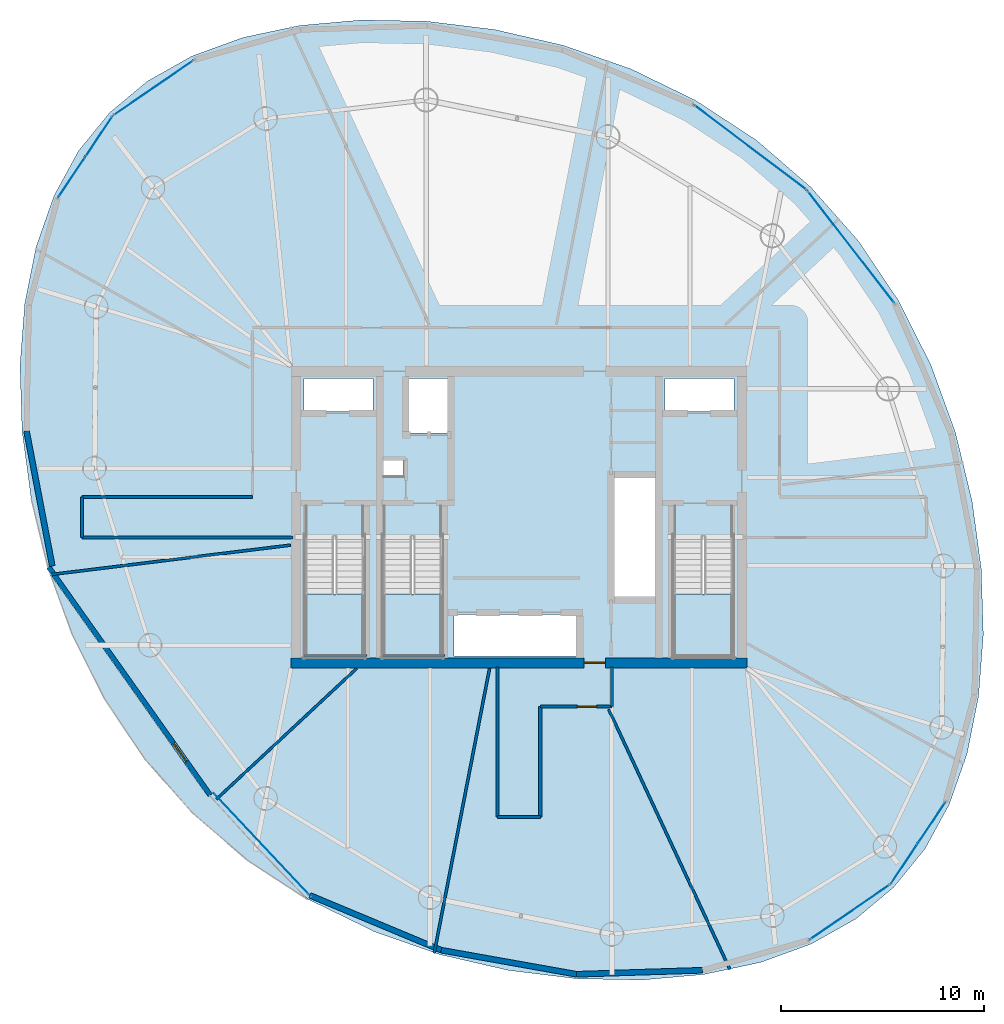
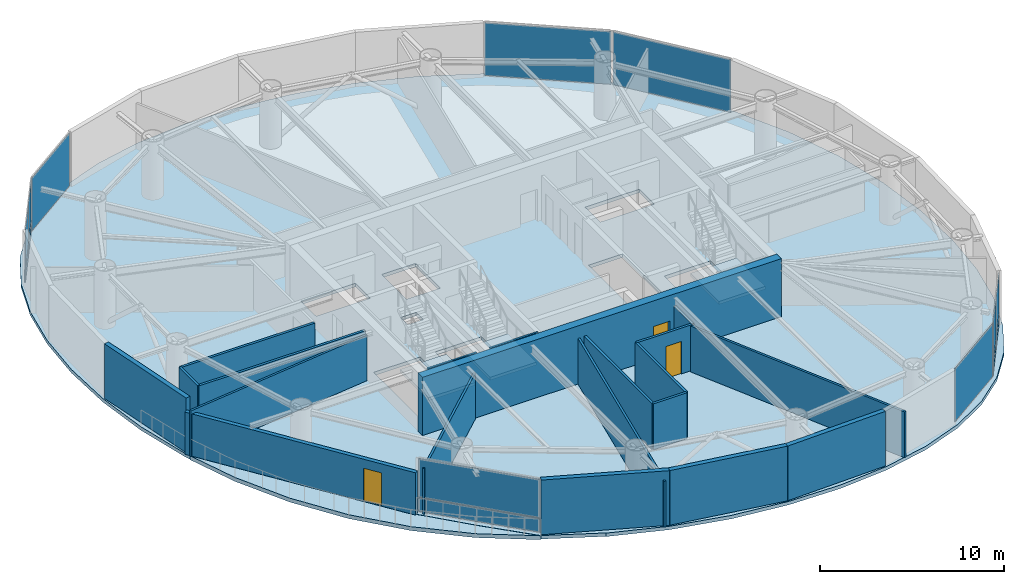
# One storey, part 11 of 16: 20 walls, 14 plates, 5 slabs, 3 doors, 3 openings, 10 elements without a shape of their own.
"""IFC4 building model written with IfcOpenShell, lengths in metres."""

from ifc_helpers import new_model, si_unit, direction, frame, frame_2d, origin, origin_2d, place, context, subcontext, project, spatial, polyline, rectangle, outline, extrude, material, layer, layer_set, type_object, element, fill, aggregate, save


model = new_model("IFC4")

# Units and contexts
model_context = context("Model", 3, precision=1e-05, world=origin(), true_north=direction((0.0, 1.0)))
body_context = subcontext(model_context, "Body", "Model", "MODEL_VIEW")
ifc_project = project(units=[si_unit("LENGTHUNIT", "METRE"), si_unit("AREAUNIT", "SQUARE_METRE"), si_unit("VOLUMEUNIT", "CUBIC_METRE"), si_unit("PLANEANGLEUNIT", "RADIAN"), si_unit("MASSUNIT", "GRAM", prefix="KILO")], contexts=[model_context])

# Site, building, storey
site_placement = place(None, origin())
site = spatial("IfcSite", under=ifc_project, at=site_placement, CompositionType="ELEMENT")
building_placement = place(site_placement, origin())
building = spatial("IfcBuilding", under=site, at=building_placement, Name="Bramvorn Convention Spire", CompositionType="ELEMENT")
storey_placement = place(building_placement, frame((0.0, 0.0, 209.699951171875)))
storey = spatial("IfcBuildingStorey", under=building, at=storey_placement, Name="L53", CompositionType="ELEMENT", Elevation=209.699951171875)

# Curtain wall, plates
ifc_material_1 = material(Name="Anodised Bronze Unitised Curtain Wall", Category="aluminium")
ifc_layer_1 = layer(ifc_material_1, 0.179931640625)
ifc_layer_set_1 = layer_set([ifc_layer_1], Name="Anodised Bronze Unitised Curtain Wall - CW-OFF-FRIT")
curtain_wall_type_1 = type_object("IfcCurtainWallType", Name="CW-OFF-FRIT", PredefinedType="USERDEFINED", material=ifc_layer_set_1)
curtain_wall_1_placement = place(storey_placement, origin())
curtain_wall_1 = element("IfcCurtainWall", 1, at=curtain_wall_1_placement, inside=storey, type_object=curtain_wall_type_1, Name="L53 fritted glass curtain wall 01", ObjectType="UNITISED CURTAIN WALL", PredefinedType="USERDEFINED")
ifc_material_2 = material(Name="Laminated Low-E Glass (Triple IGU Solar Bronze Frit 28%)", Category="glass")
ifc_layer_2 = layer(ifc_material_2, 0.0400390625)
ifc_layer_set_2 = layer_set([ifc_layer_2], Name="Laminated Low-E Glass (Triple IGU Solar Bronze Frit 28%) - PNL-IGU-3")
plate_type_1 = type_object("IfcPlateType", Name="PNL-IGU-3", PredefinedType="CURTAIN_PANEL", material=ifc_layer_set_2)
plate_1_placement = place(storey_placement, frame((58.365478515625, 10.90966796875, 0.06005859375), z_axis=(0.0, 0.0, 1.0), x_axis=(-0.5560576769, -0.831143705963, 0.0)))
plate_1 = element("IfcPlate", 2, at=plate_1_placement, type_object=plate_type_1, Name="CW3 panel 1.1", PredefinedType="CURTAIN_PANEL", context=body_context, shape_type="SweptSolid", body=[
    extrude(rectangle(XDim=2.34814453125, YDim=0.028076171875, at=origin_2d()), origin(), (0.0, 0.0, 1.0), 0.81005859375),
])
plate_2_placement = place(storey_placement, frame((58.365478515625, 10.90966796875, 0.93017578125), z_axis=(0.0, 0.0, 1.0), x_axis=(-0.5560576769, -0.831143705963, 0.0)))
plate_2 = element("IfcPlate", 3, at=plate_2_placement, type_object=plate_type_1, Name="CW3 panel 1.2", PredefinedType="CURTAIN_PANEL", context=body_context, shape_type="SweptSolid", body=[
    extrude(rectangle(XDim=2.34814453125, YDim=0.028076171875, at=origin_2d()), origin(), (0.0, 0.0, 1.0), 2.6298828125),
])
plate_3_placement = place(storey_placement, frame((57.0263671875, 8.908203125, 0.06005859375), z_axis=(0.0, 0.0, 1.0), x_axis=(-0.5560576769, -0.831143705963, 0.0)))
plate_3 = element("IfcPlate", 4, at=plate_3_placement, type_object=plate_type_1, Name="CW3 panel 2.1", PredefinedType="CURTAIN_PANEL", context=body_context, shape_type="SweptSolid", body=[
    extrude(rectangle(XDim=2.34814453125, YDim=0.028076171875, at=origin_2d()), origin(), (0.0, 0.0, 1.0), 0.81005859375),
])
plate_4_placement = place(storey_placement, frame((57.0263671875, 8.908203125, 0.93017578125), z_axis=(0.0, 0.0, 1.0), x_axis=(-0.5560576769, -0.831143705963, 0.0)))
plate_4 = element("IfcPlate", 5, at=plate_4_placement, type_object=plate_type_1, Name="CW3 panel 2.2", PredefinedType="CURTAIN_PANEL", context=body_context, shape_type="SweptSolid", body=[
    extrude(rectangle(XDim=2.34814453125, YDim=0.028076171875, at=origin_2d()), origin(), (0.0, 0.0, 1.0), 2.6298828125),
])
aggregate(curtain_wall_1, [plate_1, plate_2, plate_3, plate_4])

# Curtain wall, plate
curtain_wall_2_placement = place(storey_placement, origin())
curtain_wall_2 = element("IfcCurtainWall", 6, at=curtain_wall_2_placement, inside=storey, type_object=curtain_wall_type_1, Name="L53 fritted glass curtain wall 06", ObjectType="UNITISED CURTAIN WALL", PredefinedType="USERDEFINED")
plate_5_placement = place(storey_placement, frame((54.3896484375, 39.33056640625, 0.06005859375), z_axis=(0.0, 0.0, 1.0), x_axis=(0.611581601687, -0.791181360042, 0.0)))
plate_5 = element("IfcPlate", 7, at=plate_5_placement, type_object=plate_type_1, Name="CW3 panel 1.1", PredefinedType="CURTAIN_PANEL", context=body_context, shape_type="SweptSolid", body=[
    extrude(rectangle(XDim=6.92578125, YDim=0.028076171875, at=origin_2d()), origin(), (0.0, 0.0, 1.0), 3.5),
])
aggregate(curtain_wall_2, [plate_5])

curtain_wall_3_placement = place(storey_placement, origin())
curtain_wall_3 = element("IfcCurtainWall", 8, at=curtain_wall_3_placement, inside=storey, type_object=curtain_wall_type_1, Name="L53 fritted glass curtain wall 07", ObjectType="UNITISED CURTAIN WALL", PredefinedType="USERDEFINED")
plate_6_placement = place(storey_placement, frame((49.421875, 44.238037109375, 0.06005859375), z_axis=(0.0, 0.0, 1.0), x_axis=(0.798592657801, -0.601871885792, 0.0)))
plate_6 = element("IfcPlate", 9, at=plate_6_placement, type_object=plate_type_1, Name="CW3 panel 1.1", PredefinedType="CURTAIN_PANEL", context=body_context, shape_type="SweptSolid", body=[
    extrude(rectangle(XDim=6.925537109375, YDim=0.028076171875, at=origin_2d()), origin(), (0.0, 0.0, 1.0), 3.5),
])
aggregate(curtain_wall_3, [plate_6])

curtain_wall_4_placement = place(storey_placement, origin())
curtain_wall_4 = element("IfcCurtainWall", 10, at=curtain_wall_4_placement, inside=storey, type_object=curtain_wall_type_1, Name="L53 fritted glass curtain wall 12", ObjectType="UNITISED CURTAIN WALL", PredefinedType="USERDEFINED")
plate_7_placement = place(storey_placement, frame((19.962158203125, 47.1845703125, 0.06005859375), z_axis=(0.0, 0.0, 1.0), x_axis=(0.824300929421, 0.566151903428, 0.0)))
plate_7 = element("IfcPlate", 11, at=plate_7_placement, type_object=plate_type_1, Name="CW3 panel 1.1", PredefinedType="CURTAIN_PANEL", context=body_context, shape_type="SweptSolid", body=[
    extrude(rectangle(XDim=4.75634765625, YDim=0.028076171875, at=origin_2d()), origin(), (0.0, 0.0, 1.0), 3.5),
])
aggregate(curtain_wall_4, [plate_7])

# Curtain wall, plates
curtain_wall_5_placement = place(storey_placement, origin())
curtain_wall_5 = element("IfcCurtainWall", 12, at=curtain_wall_5_placement, inside=storey, type_object=curtain_wall_type_1, Name="L53 fritted glass curtain wall 13", ObjectType="UNITISED CURTAIN WALL", PredefinedType="USERDEFINED")
plate_8_placement = place(storey_placement, frame((15.927001953125, 42.777099609375, 0.06005859375), z_axis=(0.0, 0.0, 1.0), x_axis=(0.5560576769, 0.831143705963, 0.0)))
plate_8 = element("IfcPlate", 13, at=plate_8_placement, type_object=plate_type_1, Name="CW3 panel 1.1", PredefinedType="CURTAIN_PANEL", context=body_context, shape_type="SweptSolid", body=[
    extrude(rectangle(XDim=2.34814453125, YDim=0.028076171875, at=origin_2d()), origin(), (0.0, 0.0, 1.0), 0.81005859375),
])
plate_9_placement = place(storey_placement, frame((15.927001953125, 42.777099609375, 0.93017578125), z_axis=(0.0, 0.0, 1.0), x_axis=(0.5560576769, 0.831143705963, 0.0)))
plate_9 = element("IfcPlate", 14, at=plate_9_placement, type_object=plate_type_1, Name="CW3 panel 1.2", PredefinedType="CURTAIN_PANEL", context=body_context, shape_type="SweptSolid", body=[
    extrude(rectangle(XDim=2.34814453125, YDim=0.028076171875, at=origin_2d()), origin(), (0.0, 0.0, 1.0), 2.6298828125),
])
plate_10_placement = place(storey_placement, frame((17.26611328125, 44.778564453125, 0.06005859375), z_axis=(0.0, 0.0, 1.0), x_axis=(0.5560576769, 0.831143705963, 0.0)))
plate_10 = element("IfcPlate", 15, at=plate_10_placement, type_object=plate_type_1, Name="CW3 panel 2.1", PredefinedType="CURTAIN_PANEL", context=body_context, shape_type="SweptSolid", body=[
    extrude(rectangle(XDim=2.34814453125, YDim=0.028076171875, at=origin_2d()), origin(), (0.0, 0.0, 1.0), 0.81005859375),
])
plate_11_placement = place(storey_placement, frame((17.26611328125, 44.778564453125, 0.93017578125), z_axis=(0.0, 0.0, 1.0), x_axis=(0.5560576769, 0.831143705963, 0.0)))
plate_11 = element("IfcPlate", 16, at=plate_11_placement, type_object=plate_type_1, Name="CW3 panel 2.2", PredefinedType="CURTAIN_PANEL", context=body_context, shape_type="SweptSolid", body=[
    extrude(rectangle(XDim=2.34814453125, YDim=0.028076171875, at=origin_2d()), origin(), (0.0, 0.0, 1.0), 2.6298828125),
])
aggregate(curtain_wall_5, [plate_8, plate_9, plate_10, plate_11])

# Curtain wall, plate
curtain_wall_6_placement = place(storey_placement, origin())
curtain_wall_6 = element("IfcCurtainWall", 17, at=curtain_wall_6_placement, inside=storey, type_object=curtain_wall_type_1, Name="L53 fritted glass curtain wall 24", ObjectType="UNITISED CURTAIN WALL", PredefinedType="USERDEFINED")
plate_12_placement = place(storey_placement, frame((54.33056640625, 6.502197265625, 0.06005859375), z_axis=(0.0, 0.0, 1.0), x_axis=(-0.824291358962, -0.56616583749, 0.0)))
plate_12 = element("IfcPlate", 18, at=plate_12_placement, type_object=plate_type_1, Name="CW3 panel 1.1", PredefinedType="CURTAIN_PANEL", context=body_context, shape_type="SweptSolid", body=[
    extrude(rectangle(XDim=4.75634765625, YDim=0.028076171875, at=origin_2d()), origin(), (0.0, 0.0, 1.0), 3.5),
])
aggregate(curtain_wall_6, [plate_12])

# Curtain wall, plates
ifc_layer_3 = layer(ifc_material_1, 0.219970703125)
ifc_layer_set_3 = layer_set([ifc_layer_3], Name="Anodised Bronze Unitised Curtain Wall - CW-SKYGARDEN")
curtain_wall_type_2 = type_object("IfcCurtainWallType", Name="CW-SKYGARDEN", PredefinedType="USERDEFINED", material=ifc_layer_set_3)
curtain_wall_7_placement = place(storey_placement, origin())
curtain_wall_7 = element("IfcCurtainWall", 19, at=curtain_wall_7_placement, inside=storey, type_object=curtain_wall_type_2, Name="L53 Sky Garden glazed facade 19", ObjectType="WINTER GARDEN GLAZING", PredefinedType="USERDEFINED")
ifc_material_3 = material(Name="Laminated Low-E Glass (Acoustic Laminated Podium Triple IGU)", Category="glass")
ifc_layer_4 = layer(ifc_material_3, 0.0458984375)
ifc_layer_set_4 = layer_set([ifc_layer_4], Name="Laminated Low-E Glass (Acoustic Laminated Podium Triple IGU) - PNL-IGU-5")
plate_type_2 = type_object("IfcPlateType", Name="PNL-IGU-5", PredefinedType="CURTAIN_PANEL", material=ifc_layer_set_4)
plate_13_placement = place(storey_placement, frame((25.289306640625, 9.87255859375, 0.06005859375), z_axis=(0.0, 0.0, 1.0), x_axis=(-0.685409784762, 0.728157556407, 0.0)))
plate_13 = element("IfcPlate", 20, at=plate_13_placement, type_object=plate_type_2, Name="CW4 panel 1.1", PredefinedType="CURTAIN_PANEL", context=body_context, shape_type="SweptSolid", body=[
    extrude(rectangle(XDim=6.867431640625, YDim=0.028076171875, at=origin_2d()), origin(), (0.0, 0.0, 1.0), 0.909912109375),
])
plate_14_placement = place(storey_placement, frame((25.289306640625, 9.87255859375, 1.0302734375), z_axis=(0.0, 0.0, 1.0), x_axis=(-0.685409784762, 0.728157556407, 0.0)))
plate_14 = element("IfcPlate", 21, at=plate_14_placement, type_object=plate_type_2, Name="CW4 panel 1.2", PredefinedType="CURTAIN_PANEL", context=body_context, shape_type="SweptSolid", body=[
    extrude(rectangle(XDim=6.867431640625, YDim=0.028076171875, at=origin_2d()), origin(), (0.0, 0.0, 1.0), 2.530029296875),
])
aggregate(curtain_wall_7, [plate_13, plate_14])

# Slab
ifc_material_4 = material(Name="Concrete C40/50 Sky-Garden Terrace Slab", Category="concrete")
ifc_layer_5 = layer(ifc_material_4, 0.260009765625)
ifc_layer_set_5 = layer_set([ifc_layer_5], Name="Concrete C40/50 Sky-Garden Terrace Slab - SLB-SKYGARDEN-260")
slab_type_1 = type_object("IfcSlabType", Name="SLB-SKYGARDEN-260", PredefinedType="FLOOR", material=ifc_layer_set_5)
slab_1_placement = place(storey_placement, frame((0.0, 0.0, -0.260009765625)))
element("IfcSlab", 22, at=slab_1_placement, inside=storey, type_object=slab_type_1, Name="L53 planted double-height Sky Garden terrace slab", PredefinedType="FLOOR", context=body_context, shape_type="SweptSolid", body=[
    extrude(outline(polyline([(24.5849609375, 9.07568359375), (27.564697265625, 7.126708984375), (25.04443359375, 9.721923828125), (23.11572265625, 11.83935546875), (22.72900390625, 12.248779296875), (22.412109375, 12.544189453125), (14.865478515625, 23.199462890625), (15.952392578125, 20.2001953125), (17.54833984375, 17.021728515625), (19.533447265625, 14.06591796875), (21.890380859375, 11.39990234375), (24.5849609375, 9.07568359375)])), origin(), (0.0, 0.0, 1.0), 0.260009765625),
])

# Stair, slab
ifc_material_5 = material(Name="Concrete C40/50 Precast Stair", Category="concrete")
stair_type = type_object("IfcStairType", Name="ST-TOWER-1550", PredefinedType="HALF_TURN_STAIR", material=ifc_material_5)
stair_1_placement = place(storey_placement, origin())
stair_1 = element("IfcStair", 23, at=stair_1_placement, inside=storey, type_object=stair_type, Name="L53 Protected Exit Stair ST1", PredefinedType="HALF_TURN_STAIR")
ifc_material_6 = material(Name="Concrete C40/50 Stair Landing", Category="concrete")
ifc_layer_6 = layer(ifc_material_6, 0.219970703125)
ifc_layer_set_6 = layer_set([ifc_layer_6], Name="Concrete C40/50 Stair Landing - SLB-STAIR-LANDING")
slab_type_2 = type_object("IfcSlabType", Name="SLB-STAIR-LANDING", PredefinedType="LANDING", material=ifc_layer_set_6)
slab_2_placement = place(storey_placement, frame((0.0, 0.0, 1.72509765625)))
slab_2 = element("IfcSlab", 24, at=slab_2_placement, type_object=slab_type_2, Name="ST1 landing 1", PredefinedType="LANDING", context=body_context, shape_type="SweptSolid", body=[
    extrude(outline(polyline([(27.449951171875, 22.199951171875), (27.449951171875, 19.10009765625), (30.35009765625, 19.10009765625), (30.35009765625, 22.199951171875), (27.449951171875, 22.199951171875)])), origin(), (0.0, 0.0, 1.0), 0.199951171875),
])
aggregate(stair_1, [slab_2])

stair_2_placement = place(storey_placement, origin())
stair_2 = element("IfcStair", 25, at=stair_2_placement, inside=storey, type_object=stair_type, Name="L53 Protected Exit Stair ST2", PredefinedType="HALF_TURN_STAIR")
slab_3_placement = place(storey_placement, frame((0.0, 0.0, 1.72509765625)))
slab_3 = element("IfcSlab", 26, at=slab_3_placement, type_object=slab_type_2, Name="ST2 landing 1", PredefinedType="LANDING", context=body_context, shape_type="SweptSolid", body=[
    extrude(outline(polyline([(45.64990234375, 22.199951171875), (45.64990234375, 19.10009765625), (48.550048828125, 19.10009765625), (48.550048828125, 22.199951171875), (45.64990234375, 22.199951171875)])), origin(), (0.0, 0.0, 1.0), 0.199951171875),
])
aggregate(stair_2, [slab_3])

stair_3_placement = place(storey_placement, origin())
stair_3 = element("IfcStair", 27, at=stair_3_placement, inside=storey, type_object=stair_type, Name="L53 Protected Exit Stair ST3", PredefinedType="HALF_TURN_STAIR")
slab_4_placement = place(storey_placement, frame((0.0, 0.0, 1.72509765625)))
slab_4 = element("IfcSlab", 28, at=slab_4_placement, type_object=slab_type_2, Name="ST3 landing 1", PredefinedType="LANDING", context=body_context, shape_type="SweptSolid", body=[
    extrude(outline(polyline([(31.300048828125, 22.199951171875), (31.300048828125, 19.10009765625), (34.199951171875, 19.10009765625), (34.199951171875, 22.199951171875), (31.300048828125, 22.199951171875)])), origin(), (0.0, 0.0, 1.0), 0.199951171875),
])
aggregate(stair_3, [slab_4])

# Slab
ifc_material_7 = material(Name="Concrete C40/50", Category="concrete")
ifc_layer_7 = layer(ifc_material_7, 0.22998046875)
ifc_layer_set_7 = layer_set([ifc_layer_7], Name="Concrete C40/50 - SLB-Z3-230")
slab_type_3 = type_object("IfcSlabType", Name="SLB-Z3-230", PredefinedType="FLOOR", material=ifc_layer_set_7)
slab_5_placement = place(storey_placement, frame((0.0, 0.0, -0.22998046875)))
element("IfcSlab", 29, at=slab_5_placement, inside=storey, type_object=slab_type_3, Name="L53 tower floor slab", PredefinedType="FLOOR", context=body_context, shape_type="SweptSolid", body=[
    extrude(outline(polyline([(54.6298828125, 6.169189453125), (52.434814453125, 4.934814453125), (49.923828125, 4.0205078125), (47.123779296875, 3.425048828125), (44.076904296875, 3.1533203125), (40.8408203125, 3.215576171875), (37.4873046875, 3.627197265625), (34.098876953125, 4.406494140625), (30.7626953125, 5.56982421875), (30.74462890625, 5.57861328125), (30.771484375, 5.587890625), (27.57666015625, 7.143310546875), (25.0517578125, 9.72900390625), (22.743896484375, 12.262451171875), (22.42041015625, 12.550048828125), (14.852783203125, 23.234619140625), (14.74853515625, 23.522216796875), (13.927734375, 26.900634765625), (13.47509765625, 30.248779296875), (13.373291015625, 33.48388671875), (13.60791015625, 36.5341796875), (14.1689453125, 39.341064453125), (15.052490234375, 41.86279296875), (16.260009765625, 44.072998046875), (17.7958984375, 45.958740234375), (19.66259765625, 47.517578125), (21.85791015625, 48.751953125), (24.36865234375, 49.666259765625), (27.168701171875, 50.261474609375), (30.2158203125, 50.533203125), (33.451904296875, 50.47119140625), (36.805419921875, 50.0595703125), (40.193603515625, 49.280029296875), (43.530029296875, 48.11669921875), (46.727783203125, 46.559814453125), (49.707763671875, 44.611083984375), (52.402099609375, 42.28662109375), (54.75927734375, 39.620849609375), (56.744384765625, 36.6650390625), (58.340087890625, 33.486328125), (59.544189453125, 30.16455078125), (60.364990234375, 26.785888671875), (60.8173828125, 23.43798828125), (60.919189453125, 20.20263671875), (60.6845703125, 17.152587890625), (60.123779296875, 14.345458984375), (59.239990234375, 11.82373046875), (58.032470703125, 9.613525390625), (56.49658203125, 7.727783203125), (54.6298828125, 6.169189453125)]), holes=[polyline([(27.449951171875, 25.050048828125), (27.449951171875, 19.10009765625), (30.35009765625, 19.10009765625), (30.35009765625, 25.050048828125), (27.449951171875, 25.050048828125)]), polyline([(45.64990234375, 25.050048828125), (45.64990234375, 19.10009765625), (48.550048828125, 19.10009765625), (48.550048828125, 25.050048828125), (45.64990234375, 25.050048828125)]), polyline([(31.300048828125, 25.050048828125), (31.300048828125, 19.10009765625), (34.199951171875, 19.10009765625), (34.199951171875, 25.050048828125), (31.300048828125, 25.050048828125)]), polyline([(27.39990234375, 31.219970703125), (30.800048828125, 31.219970703125), (30.800048828125, 32.85009765625), (27.39990234375, 32.85009765625), (27.39990234375, 31.219970703125)]), polyline([(45.199951171875, 31.219970703125), (48.60009765625, 31.219970703125), (48.60009765625, 32.85009765625), (45.199951171875, 32.85009765625), (45.199951171875, 31.219970703125)]), polyline([(32.449951171875, 30.14990234375), (34.56005859375, 30.14990234375), (34.56005859375, 32.85009765625), (32.449951171875, 32.85009765625), (32.449951171875, 30.14990234375)]), polyline([(34.800048828125, 19.14990234375), (40.97998046875, 19.14990234375), (40.97998046875, 21.199951171875), (34.800048828125, 21.199951171875), (34.800048828125, 19.14990234375)]), polyline([(42.6201171875, 22.0), (44.75, 22.0), (44.75, 28.0), (42.6201171875, 28.0), (42.6201171875, 22.0)]), polyline([(31.320068359375, 28.02001953125), (32.280029296875, 28.02001953125), (32.280029296875, 28.820068359375), (31.320068359375, 28.820068359375), (31.320068359375, 28.02001953125)])]), origin(), (0.0, 0.0, 1.0), 0.22998046875),
])

# Wall, opening, door
ifc_material_8 = material(Name="Concrete C50/60", Category="concrete")
ifc_layer_8 = layer(ifc_material_8, 0.5)
ifc_layer_set_8 = layer_set([ifc_layer_8], Name="Concrete C50/60 - WL-CORE-500")
wall_type_1 = type_object("IfcWallType", Name="WL-CORE-500", PredefinedType="SHEAR", material=ifc_layer_set_8)
wall_1_placement = place(storey_placement, frame((26.75, 18.800048828125, 0.0), z_axis=(0.0, 0.0, 1.0), x_axis=(1.0, 0.0, 0.0)))
wall_1 = element("IfcWall", 30, at=wall_1_placement, inside=storey, type_object=wall_type_1, Name="L53 South RC core shear wall", PredefinedType="SHEAR", context=body_context, shape_type="SweptSolid", body=[
    extrude(rectangle(XDim=22.5, YDim=0.5, at=frame_2d((11.25, 0.0))), origin(), (0.0, 0.0, 1.0), 3.85009765625),
])
opening_1_placement = place(wall_1_placement, frame((14.469970703125, 0.0, 0.0)))
opening_1 = element("IfcOpeningElement", 31, at=opening_1_placement, cuts=wall_1, Name="Opening DL-105", PredefinedType="OPENING", context=body_context, shape_type="SweptSolid", body=[
    extrude(rectangle(XDim=1.050048828125, YDim=2.14990234375, at=frame_2d((0.52490234375, 1.074951171875))), frame((0.0, 0.260009765625, 0.0), z_axis=(0.0, -1.0, 0.0), x_axis=(1.0, 0.0, 0.0)), (0.0, 0.0, 1.0), 0.52001953125),
])
ifc_material_9 = material(Name="Smoke-Sealed Fire Lobby Timber-Core Door", Category="wood")
door_type_1 = type_object("IfcDoorType", Name="DR-LOBBY-1050", OperationType="NOTDEFINED", PredefinedType="DOOR", material=ifc_material_9)
door_1_placement = place(opening_1_placement, origin())
door_1 = element("IfcDoor", 32, at=door_1_placement, inside=storey, type_object=door_type_1, Name="L53 South Lift Lobby fire door", OperationType="SINGLE_SWING_RIGHT", OverallHeight=2.14990234375, OverallWidth=1.050048828125, PredefinedType="DOOR", context=body_context, shape_type="SweptSolid", body=[
    extrude(rectangle(XDim=1.050048828125, YDim=2.14990234375, at=frame_2d((0.52490234375, 1.074951171875))), frame((0.0, 0.02490234375, 0.0), z_axis=(0.0, -1.0, 0.0), x_axis=(1.0, 0.0, 0.0)), (0.0, 0.0, 1.0), 0.050048828125),
])
fill(opening_1, door_1)

# Walls
ifc_material_10 = material(Name="Precast Concrete C40/50 with Bronze Terracotta Rainscreen", Category="masonry")
ifc_layer_9 = layer(ifc_material_10, 0.300048828125)
ifc_layer_set_9 = layer_set([ifc_layer_9], Name="Precast Concrete C40/50 with Bronze Terracotta Rainscreen - WL-EXT-BRONZE-300")
wall_type_2 = type_object("IfcWallType", Name="WL-EXT-BRONZE-300", PredefinedType="SOLIDWALL", material=ifc_layer_set_9)
wall_2_placement = place(storey_placement, frame((14.966064453125, 23.585693359375, 0.0), z_axis=(0.0, 0.0, 1.0), x_axis=(-0.187340299472, 0.982295073893, 0.0)))
element("IfcWall", 33, at=wall_2_placement, inside=storey, type_object=wall_type_2, Name="L53 expressed bronze Gothic lancet pier wall 16", PredefinedType="SOLIDWALL", context=body_context, shape_type="SweptSolid", body=[
    extrude(rectangle(XDim=6.784423828125, YDim=0.280029296875, at=frame_2d((3.39208984375, 0.0))), origin(), (0.0, 0.0, 1.0), 3.6201171875),
])
wall_3_placement = place(storey_placement, frame((34.159912109375, 4.625, 0.0), z_axis=(0.0, 0.0, 1.0), x_axis=(-0.922805990823, 0.385264978035, 0.0)))
element("IfcWall", 34, at=wall_3_placement, inside=storey, type_object=wall_type_2, Name="L53 expressed bronze Gothic lancet pier wall 20", PredefinedType="SOLIDWALL", context=body_context, shape_type="SweptSolid", body=[
    extrude(rectangle(XDim=7.017578125, YDim=0.280029296875, at=frame_2d((3.5087890625, 0.0))), origin(), (0.0, 0.0, 1.0), 3.6201171875),
])
wall_4_placement = place(storey_placement, frame((40.83935546875, 3.435546875, 0.0), z_axis=(0.0, 0.0, 1.0), x_axis=(-0.984511753374, 0.175318588488, 0.0)))
element("IfcWall", 35, at=wall_4_placement, inside=storey, type_object=wall_type_2, Name="L53 expressed bronze Gothic lancet pier wall 21", PredefinedType="SOLIDWALL", context=body_context, shape_type="SweptSolid", body=[
    extrude(rectangle(XDim=6.784423828125, YDim=0.280029296875, at=frame_2d((3.39208984375, 0.0))), origin(), (0.0, 0.0, 1.0), 3.6201171875),
])
wall_5_placement = place(storey_placement, frame((47.0625, 3.63427734375, 0.0), z_axis=(0.0, 0.0, 1.0), x_axis=(-0.999490496546, -0.031917821271, 0.0)))
element("IfcWall", 36, at=wall_5_placement, inside=storey, type_object=wall_type_2, Name="L53 expressed bronze Gothic lancet pier wall 22", PredefinedType="SOLIDWALL", context=body_context, shape_type="SweptSolid", body=[
    extrude(rectangle(XDim=6.226318359375, YDim=0.280029296875, at=frame_2d((3.11328125, 0.0))), origin(), (0.0, 0.0, 1.0), 3.6201171875),
])

# Wall, opening, door
ifc_material_11 = material(Name="Precast Concrete C40/50 Insulated Terrace Wall", Category="concrete")
ifc_layer_10 = layer(ifc_material_11, 0.280029296875)
ifc_layer_set_10 = layer_set([ifc_layer_10], Name="Precast Concrete C40/50 Insulated Terrace Wall - WL-EXT-TERR-280")
wall_type_3 = type_object("IfcWallType", Name="WL-EXT-TERR-280", PredefinedType="SOLIDWALL", material=ifc_layer_set_10)
wall_6_placement = place(storey_placement, frame((22.75927734375, 12.279296875, 0.0), z_axis=(0.0, 0.0, 1.0), x_axis=(-0.577984923356, 0.816047442477, 0.0)))
wall_6 = element("IfcWall", 37, at=wall_6_placement, inside=storey, type_object=wall_type_3, Name="L53 Sky Garden recessed terrace wall", PredefinedType="SOLIDWALL", context=body_context, shape_type="SweptSolid", body=[
    extrude(rectangle(XDim=13.791259765625, YDim=0.239990234375, at=frame_2d((6.8955078125, 0.0))), origin(), (0.0, 0.0, 1.0), 2.800048828125),
])
opening_2_placement = place(wall_6_placement, frame((2.030517578125, 0.0, 0.0)))
opening_2 = element("IfcOpeningElement", 38, at=opening_2_placement, cuts=wall_6, Name="Opening DE05", PredefinedType="OPENING", context=body_context, shape_type="SweptSolid", body=[
    extrude(rectangle(XDim=1.10009765625, YDim=2.199951171875, at=frame_2d((0.550048828125, 1.10009765625))), frame((0.0, 0.1298828125, 0.0), z_axis=(0.0, -1.0, 0.0), x_axis=(1.0, 0.0, 0.0)), (0.0, 0.0, 1.0), 0.260009765625),
])
ifc_material_12 = material(Name="Anodised Bronze Aluminium & Laminated Safety Glass", Category="aluminium")
door_type_2 = type_object("IfcDoorType", Name="DR-EXT-1100X2200", OperationType="NOTDEFINED", PredefinedType="DOOR", material=ifc_material_12)
door_2_placement = place(opening_2_placement, origin())
door_2 = element("IfcDoor", 39, at=door_2_placement, inside=storey, type_object=door_type_2, Name="L53 Sky Garden Lounge exterior terrace door", OperationType="SINGLE_SWING_LEFT", OverallHeight=2.199951171875, OverallWidth=1.10009765625, PredefinedType="DOOR", context=body_context, shape_type="SweptSolid", body=[
    extrude(rectangle(XDim=1.10009765625, YDim=2.199951171875, at=frame_2d((0.550048828125, 1.10009765625))), frame((0.0, 0.02490234375, 0.0), z_axis=(0.0, -1.0, 0.0), x_axis=(1.0, 0.0, 0.0)), (0.0, 0.0, 1.0), 0.050048828125),
])
fill(opening_2, door_2)

# Walls
ifc_material_13 = material(Name="Metal-Stud Demountable Office Partition", Category="gypsum")
ifc_layer_11 = layer(ifc_material_13, 0.1298828125)
ifc_layer_set_11 = layer_set([ifc_layer_11], Name="Metal-Stud Demountable Office Partition - WL-PART-130")
wall_type_4 = type_object("IfcWallType", Name="WL-PART-130", PredefinedType="PARTITIONING", material=ifc_layer_set_11)
wall_7_placement = place(storey_placement, frame((26.72998046875, 24.6162109375, 0.0), z_axis=(0.0, 0.0, 1.0), x_axis=(-0.99254566269, -0.12187332553, 0.0)))
element("IfcWall", 40, at=wall_7_placement, inside=storey, type_object=wall_type_4, Name="L53 Tenant suite partition 6", PredefinedType="PARTITIONING", context=body_context, shape_type="SweptSolid", body=[
    extrude(rectangle(XDim=11.971435546875, YDim=0.1298828125, at=frame_2d((5.98583984375, 0.0))), origin(), (0.0, 0.0, 1.0), 3.03515625),
])
wall_8_placement = place(storey_placement, frame((29.989501953125, 18.530029296875, 0.0), z_axis=(0.0, 0.0, 1.0), x_axis=(-0.731353925915, -0.681998119535, 0.0)))
element("IfcWall", 41, at=wall_8_placement, inside=storey, type_object=wall_type_4, Name="L53 Tenant suite partition 7", PredefinedType="PARTITIONING", context=body_context, shape_type="SweptSolid", body=[
    extrude(rectangle(XDim=9.457763671875, YDim=0.1298828125, at=frame_2d((4.72900390625, 0.0))), origin(), (0.0, 0.0, 1.0), 3.03515625),
])
wall_9_placement = place(storey_placement, frame((36.548095703125, 18.530029296875, 0.0), z_axis=(0.0, 0.0, 1.0), x_axis=(-0.190821746149, -0.981624704863, 0.0)))
element("IfcWall", 42, at=wall_9_placement, inside=storey, type_object=wall_type_4, Name="L53 Tenant suite partition 8", PredefinedType="PARTITIONING", context=body_context, shape_type="SweptSolid", body=[
    extrude(rectangle(XDim=14.320556640625, YDim=0.1298828125, at=frame_2d((7.16015625, 0.0))), origin(), (0.0, 0.0, 1.0), 3.03515625),
])
wall_10_placement = place(storey_placement, frame((42.42529296875, 16.510009765625, 0.0), z_axis=(0.0, 0.0, 1.0), x_axis=(0.422619428182, -0.906307243115, 0.0)))
element("IfcWall", 43, at=wall_10_placement, inside=storey, type_object=wall_type_4, Name="L53 Tenant suite partition 9", PredefinedType="PARTITIONING", context=body_context, shape_type="SweptSolid", body=[
    extrude(rectangle(XDim=14.168212890625, YDim=0.1298828125, at=frame_2d((7.083984375, 0.0))), origin(), (0.0, 0.0, 1.0), 3.03515625),
])
ifc_material_14 = material(Name="Acoustic Metal-Stud Tenant/Corridor Partition", Category="gypsum")
ifc_layer_12 = layer(ifc_material_14, 0.14990234375)
ifc_layer_set_12 = layer_set([ifc_layer_12], Name="Acoustic Metal-Stud Tenant/Corridor Partition - WL-PART-150")
wall_type_5 = type_object("IfcWallType", Name="WL-PART-150", PredefinedType="PARTITIONING", material=ifc_layer_set_12)
wall_11_placement = place(storey_placement, frame((16.438232421875, 27.0, 0.0), z_axis=(0.0, 0.0, 1.0), x_axis=(1.0, 0.0, 0.0)))
element("IfcWall", 44, at=wall_11_placement, inside=storey, type_object=wall_type_5, Name="L53 West wing spine north wall", PredefinedType="PARTITIONING", context=body_context, shape_type="SweptSolid", body=[
    extrude(rectangle(XDim=8.411865234375, YDim=0.14990234375, at=frame_2d((4.2060546875, 0.0))), origin(), (0.0, 0.0, 1.0), 3.03515625),
])
wall_12_placement = place(storey_placement, frame((16.438232421875, 25.0, 0.0), z_axis=(0.0, 0.0, 1.0), x_axis=(1.0, 0.0, 0.0)))
element("IfcWall", 45, at=wall_12_placement, inside=storey, type_object=wall_type_5, Name="L53 West wing spine south wall", PredefinedType="PARTITIONING", context=body_context, shape_type="SweptSolid", body=[
    extrude(rectangle(XDim=10.411865234375, YDim=0.14990234375, at=frame_2d((5.2060546875, 0.0))), origin(), (0.0, 0.0, 1.0), 3.03515625),
])
wall_13_placement = place(storey_placement, frame((16.438232421875, 25.0, 0.0), z_axis=(0.0, 0.0, 1.0), x_axis=(0.0, 1.0, 0.0)))
element("IfcWall", 46, at=wall_13_placement, inside=storey, type_object=wall_type_5, Name="L53 West wing spine end wall", PredefinedType="PARTITIONING", context=body_context, shape_type="SweptSolid", body=[
    extrude(rectangle(XDim=2.0, YDim=0.14990234375, at=frame_2d((1.0, 0.0))), origin(), (0.0, 0.0, 1.0), 3.03515625),
])
wall_14_placement = place(storey_placement, frame((36.949951171875, 11.199951171875, 0.0), z_axis=(0.0, 0.0, 1.0), x_axis=(0.0, 1.0, 0.0)))
element("IfcWall", 47, at=wall_14_placement, inside=storey, type_object=wall_type_5, Name="L53 South axial spine west wall", PredefinedType="PARTITIONING", context=body_context, shape_type="SweptSolid", body=[
    extrude(rectangle(XDim=7.400146484375, YDim=0.14990234375, at=frame_2d((3.7001953125, 0.0))), origin(), (0.0, 0.0, 1.0), 3.03515625),
])
wall_15_placement = place(storey_placement, frame((39.050048828125, 11.199951171875, 0.0), z_axis=(0.0, 0.0, 1.0), x_axis=(0.0, 1.0, 0.0)))
element("IfcWall", 48, at=wall_15_placement, inside=storey, type_object=wall_type_5, Name="L53 South axial spine east wall", PredefinedType="PARTITIONING", context=body_context, shape_type="SweptSolid", body=[
    extrude(rectangle(XDim=5.449951171875, YDim=0.14990234375, at=frame_2d((2.72509765625, 0.0))), origin(), (0.0, 0.0, 1.0), 3.03515625),
])

# Wall, opening, door
wall_16_placement = place(storey_placement, frame((39.050048828125, 16.64990234375, 0.0), z_axis=(0.0, 0.0, 1.0), x_axis=(1.0, 0.0, 0.0)))
wall_16 = element("IfcWall", 49, at=wall_16_placement, inside=storey, type_object=wall_type_5, Name="L53 South lift lobby link wall", PredefinedType="PARTITIONING", context=body_context, shape_type="SweptSolid", body=[
    extrude(rectangle(XDim=3.550048828125, YDim=0.14990234375, at=frame_2d((1.77490234375, 0.0))), origin(), (0.0, 0.0, 1.0), 3.03515625),
])
opening_3_placement = place(wall_16_placement, frame((1.83251953125, 0.0, 0.0)))
opening_3 = element("IfcOpeningElement", 50, at=opening_3_placement, cuts=wall_16, Name="Opening DH-095", PredefinedType="OPENING", context=body_context, shape_type="SweptSolid", body=[
    extrude(rectangle(XDim=0.949951171875, YDim=2.14990234375, at=frame_2d((0.47509765625, 1.074951171875))), frame((0.0, 0.0849609375, 0.0), z_axis=(0.0, -1.0, 0.0), x_axis=(1.0, 0.0, 0.0)), (0.0, 0.0, 1.0), 0.169921875),
])
ifc_material_15 = material(Name="Solid-Core Acoustic Guestroom Entry Door", Category="wood")
door_type_3 = type_object("IfcDoorType", Name="DR-HOTEL-950", OperationType="NOTDEFINED", PredefinedType="DOOR", material=ifc_material_15)
door_3_placement = place(opening_3_placement, origin())
door_3 = element("IfcDoor", 51, at=door_3_placement, inside=storey, type_object=door_type_3, Name="L53 Tenant Briefing Room 8 door", OperationType="SINGLE_SWING_RIGHT", OverallHeight=2.14990234375, OverallWidth=0.949951171875, PredefinedType="DOOR", context=body_context, shape_type="SweptSolid", body=[
    extrude(rectangle(XDim=0.949951171875, YDim=2.14990234375, at=frame_2d((0.47509765625, 1.074951171875))), frame((0.0, 0.02490234375, 0.0), z_axis=(0.0, -1.0, 0.0), x_axis=(1.0, 0.0, 0.0)), (0.0, 0.0, 1.0), 0.050048828125),
])
fill(opening_3, door_3)

# Walls
wall_17_placement = place(storey_placement, frame((42.60009765625, 16.64990234375, 0.0), z_axis=(0.0, 0.0, 1.0), x_axis=(0.0, 1.0, 0.0)))
element("IfcWall", 52, at=wall_17_placement, inside=storey, type_object=wall_type_5, Name="L53 South lift lobby east cheek", PredefinedType="PARTITIONING", context=body_context, shape_type="SweptSolid", body=[
    extrude(rectangle(XDim=1.9501953125, YDim=0.14990234375, at=frame_2d((0.97509765625, 0.0))), origin(), (0.0, 0.0, 1.0), 3.03515625),
])
wall_18_placement = place(storey_placement, frame((36.949951171875, 11.199951171875, 0.0), z_axis=(0.0, 0.0, 1.0), x_axis=(1.0, 0.0, 0.0)))
element("IfcWall", 53, at=wall_18_placement, inside=storey, type_object=wall_type_5, Name="L53 South axial spine end wall", PredefinedType="PARTITIONING", context=body_context, shape_type="SweptSolid", body=[
    extrude(rectangle(XDim=2.10009765625, YDim=0.14990234375, at=frame_2d((1.050048828125, 0.0))), origin(), (0.0, 0.0, 1.0), 3.03515625),
])
ifc_layer_13 = layer(ifc_material_8, 0.1201171875)
ifc_layer_set_13 = layer_set([ifc_layer_13], Name="Concrete C50/60 - WL-STAIR-RC-120")
wall_type_6 = type_object("IfcWallType", Name="WL-STAIR-RC-120", PredefinedType="SHEAR", material=ifc_layer_set_13)
wall_19_placement = place(storey_placement, frame((27.39501953125, 19.159912109375, 0.0), z_axis=(0.0, 0.0, 1.0), x_axis=(1.0, 0.0, 0.0)))
element("IfcWall", 54, at=wall_19_placement, inside=storey, type_object=wall_type_6, Name="L53 ST1 south bearing shear wall", PredefinedType="SHEAR", context=body_context, shape_type="SweptSolid", body=[
    extrude(rectangle(XDim=3.094970703125, YDim=0.1201171875, at=frame_2d((1.54736328125, 0.0))), origin(), (0.0, 0.0, 1.0), 3.85009765625),
])
wall_20_placement = place(storey_placement, frame((31.300048828125, 19.159912109375, 0.0), z_axis=(0.0, 0.0, 1.0), x_axis=(1.0, 0.0, 0.0)))
element("IfcWall", 55, at=wall_20_placement, inside=storey, type_object=wall_type_6, Name="L53 ST3 south bearing shear wall", PredefinedType="SHEAR", context=body_context, shape_type="SweptSolid", body=[
    extrude(rectangle(XDim=3.0400390625, YDim=0.1201171875, at=frame_2d((1.52001953125, 0.0))), origin(), (0.0, 0.0, 1.0), 3.85009765625),
])

save(model, "model.ifc")
